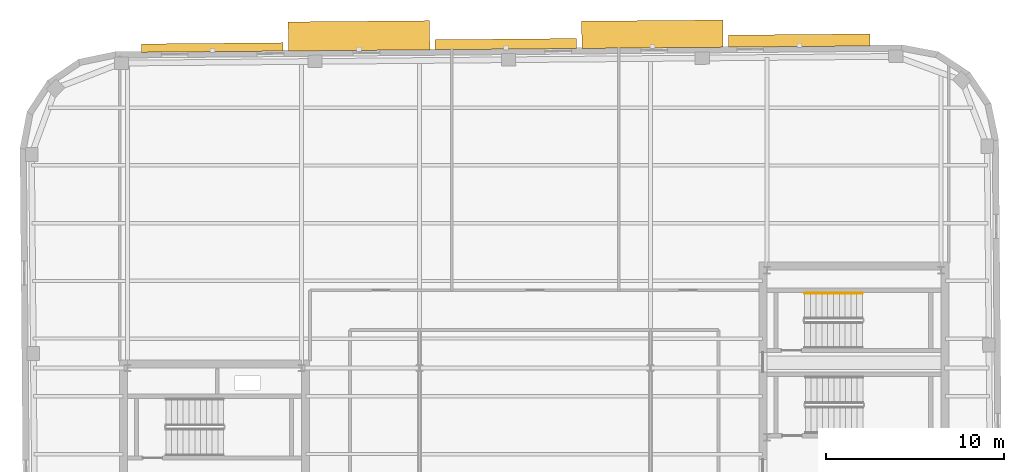
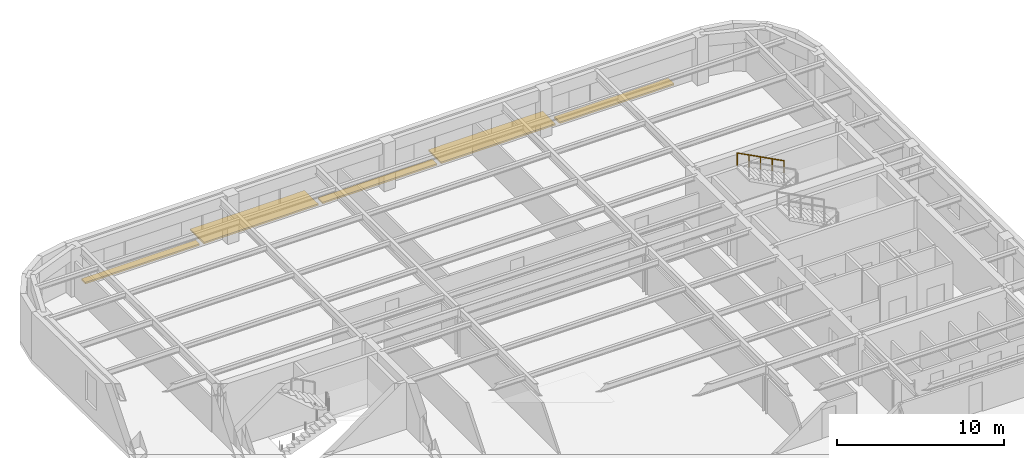
# One storey, part 13 of 13: 5 shading devices, 1 railing.
"""IFC4 building model written with IfcOpenShell, lengths in metres."""

from ifc_helpers import new_model, si_unit, direction, frame, origin, origin_2d, place, context, subcontext, project, spatial, rectangle, circle, extrude, material, type_object, element, save


model = new_model("IFC4")

# Units and contexts
model_context = context("Model", 3, precision=1e-05, world=origin(), true_north=direction((0.0, 1.0)))
body_context = subcontext(model_context, "Body", "Model", "MODEL_VIEW")
ifc_project = project(units=[si_unit("LENGTHUNIT", "METRE"), si_unit("AREAUNIT", "SQUARE_METRE"), si_unit("VOLUMEUNIT", "CUBIC_METRE"), si_unit("PLANEANGLEUNIT", "RADIAN"), si_unit("MASSUNIT", "GRAM", prefix="KILO")], contexts=[model_context])

# Site, building, storey
site_placement = place(None, origin())
site = spatial("IfcSite", under=ifc_project, at=site_placement, CompositionType="ELEMENT")
building_placement = place(site_placement, origin())
building = spatial("IfcBuilding", under=site, at=building_placement, Name="Kolvaren Arena Tower", CompositionType="ELEMENT")
storey_placement = place(building_placement, frame((0.0, 0.0, 278.64990234375)))
storey = spatial("IfcBuildingStorey", under=building, at=storey_placement, Name="L68", CompositionType="ELEMENT", Elevation=278.64990234375)

# Railing
ifc_material_1 = material(Name="Brushed stainless steel handrail", Category="steel")
railing_type = type_object("IfcRailingType", Name="HRAIL-900", PredefinedType="HANDRAIL", material=ifc_material_1)
railing_placement = place(storey_placement, frame((55.919921875, 38.050048828125, 2.045654296875)))
element("IfcRailing", 1, at=railing_placement, inside=storey, type_object=railing_type, Name="L68 ST-E2 stair handrail 2", PredefinedType="HANDRAIL", context=body_context, shape_type="SweptSolid", body=[
    extrude(circle(Radius=0.02392578125, at=origin_2d()), frame((0.0, 0.0, 0.8759765625), z_axis=(-0.885020909582, 0.0, 0.465551274945), x_axis=(0.0, -1.0, 0.0)), (0.0, 0.0, 1.0), 3.660888671875),
    extrude(circle(Radius=0.02099609375, at=origin_2d()), origin(), (0.0, 0.0, 1.0), 0.851806640625),
    extrude(circle(Radius=0.02099609375, at=origin_2d()), frame((-0.81005859375, 0.0, 0.426025390625)), (0.0, 0.0, 1.0), 0.851806640625),
    extrude(circle(Radius=0.02099609375, at=origin_2d()), frame((-1.6201171875, 0.0, 0.85205078125)), (0.0, 0.0, 1.0), 0.851806640625),
    extrude(circle(Radius=0.02099609375, at=origin_2d()), frame((-2.429931640625, 0.0, 1.2783203125)), (0.0, 0.0, 1.0), 0.851806640625),
    extrude(circle(Radius=0.02099609375, at=origin_2d()), frame((-3.239990234375, 0.0, 1.704345703125)), (0.0, 0.0, 1.0), 0.851806640625),
])

# Shading devices
ifc_material_2 = material(Name="Architectural precast GFRC and anodised aluminium sunshade", Category="concrete")
shading_device_type_1 = type_object("IfcShadingDeviceType", Name="SHAD-SINE-A", PredefinedType="USERDEFINED", material=ifc_material_2)
shading_device_1_placement = place(storey_placement, frame((19.332275390625, 51.88818359375, -0.139892578125), z_axis=(0.0, 0.0, 1.0), x_axis=(0.999961923064, 0.008726535498, 0.0)))
element("IfcShadingDevice", 2, at=shading_device_1_placement, inside=storey, type_object=shading_device_type_1, Name="Sinusoidal Slab-Edge Sunshade Louvre (L68)", ObjectType="LOUVRE", PredefinedType="USERDEFINED", context=body_context, shape_type="SweptSolid", body=[
    extrude(rectangle(XDim=7.9599609375, YDim=0.468994140625, at=origin_2d()), origin(), (0.0, 0.0, 1.0), 0.1201171875),
])
shading_device_2_placement = place(storey_placement, frame((35.851318359375, 52.078857421875, -0.139892578125), z_axis=(0.0, 0.0, 1.0), x_axis=(0.999961923064, 0.008726535498, 0.0)))
element("IfcShadingDevice", 3, at=shading_device_2_placement, inside=storey, type_object=shading_device_type_1, Name="Sinusoidal Slab-Edge Sunshade Louvre (L68)", ObjectType="LOUVRE", PredefinedType="USERDEFINED", context=body_context, shape_type="SweptSolid", body=[
    extrude(rectangle(XDim=7.9599609375, YDim=0.562255859375, at=origin_2d()), origin(), (0.0, 0.0, 1.0), 0.1201171875),
])
shading_device_3_placement = place(storey_placement, frame((52.3701171875, 52.280517578125, -0.139892578125), z_axis=(0.0, 0.0, 1.0), x_axis=(0.999961923064, 0.008726535498, 0.0)))
element("IfcShadingDevice", 4, at=shading_device_3_placement, inside=storey, type_object=shading_device_type_1, Name="Sinusoidal Slab-Edge Sunshade Louvre (L68)", ObjectType="LOUVRE", PredefinedType="USERDEFINED", context=body_context, shape_type="SweptSolid", body=[
    extrude(rectangle(XDim=7.9599609375, YDim=0.677001953125, at=origin_2d()), origin(), (0.0, 0.0, 1.0), 0.1201171875),
])
shading_device_type_2 = type_object("IfcShadingDeviceType", Name="SHAD-SINE-B", PredefinedType="JALOUSIE", material=ifc_material_2)
shading_device_4_placement = place(storey_placement, frame((27.5869140625, 52.544189453125, -0.139892578125), z_axis=(0.0, 0.0, 1.0), x_axis=(0.999961923064, 0.008726535498, 0.0)))
element("IfcShadingDevice", 5, at=shading_device_4_placement, inside=storey, type_object=shading_device_type_2, Name="Sinusoidal Slab-Edge Sunshade Louvre (L68)", PredefinedType="JALOUSIE", context=body_context, shape_type="SweptSolid", body=[
    extrude(rectangle(XDim=7.9599609375, YDim=1.63720703125, at=origin_2d()), origin(), (0.0, 0.0, 1.0), 0.1201171875),
])
shading_device_5_placement = place(storey_placement, frame((44.106689453125, 52.63623046875, -0.139892578125), z_axis=(0.0, 0.0, 1.0), x_axis=(0.999961923064, 0.008726535498, 0.0)))
element("IfcShadingDevice", 6, at=shading_device_5_placement, inside=storey, type_object=shading_device_type_2, Name="Sinusoidal Slab-Edge Sunshade Louvre (L68)", PredefinedType="JALOUSIE", context=body_context, shape_type="SweptSolid", body=[
    extrude(rectangle(XDim=7.9599609375, YDim=1.53271484375, at=origin_2d()), origin(), (0.0, 0.0, 1.0), 0.1201171875),
])

save(model, "model.ifc")
